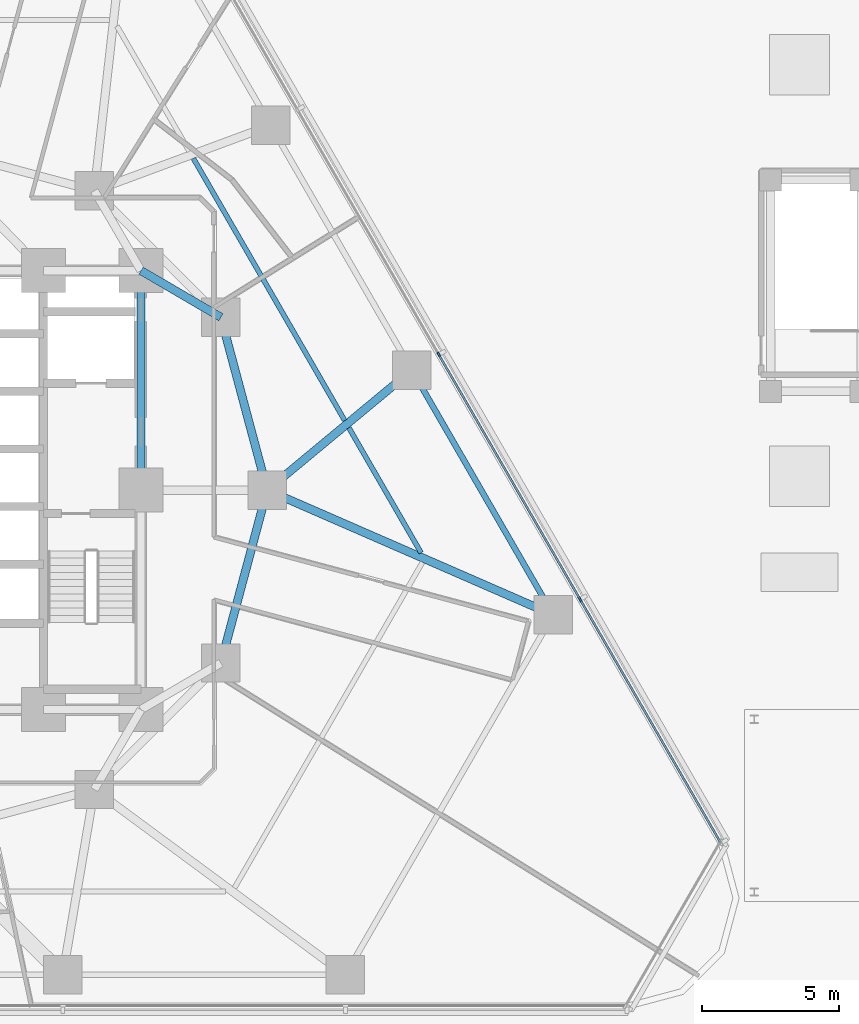
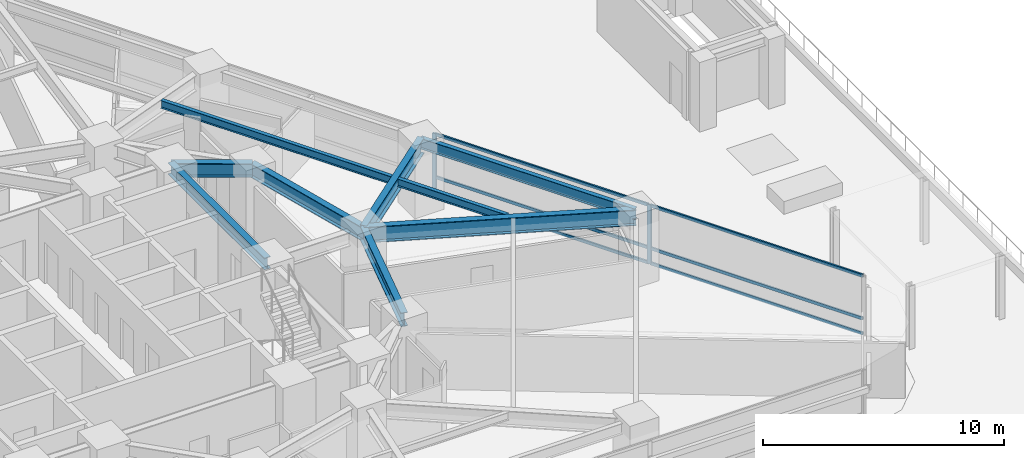
# One storey, part 10 of 23: 9 beams, 8 members, 1 element without a shape of its own.
"""IFC4 building model written with IfcOpenShell, lengths in metres."""

from ifc_helpers import new_model, si_unit, direction, frame, origin, origin_2d, place, context, subcontext, project, spatial, rectangle, i_section, extrude, material, layer, layer_set, material_profile, profile_set, type_object, element, aggregate, save


model = new_model("IFC4")

# Units and contexts
model_context = context("Model", 3, precision=1e-05, world=origin(), true_north=direction((0.0, 1.0)))
body_context = subcontext(model_context, "Body", "Model", "MODEL_VIEW")
ifc_project = project(units=[si_unit("LENGTHUNIT", "METRE"), si_unit("AREAUNIT", "SQUARE_METRE"), si_unit("VOLUMEUNIT", "CUBIC_METRE"), si_unit("PLANEANGLEUNIT", "RADIAN"), si_unit("MASSUNIT", "GRAM", prefix="KILO")], contexts=[model_context])

# Site, building, storey
site_placement = place(None, origin())
site = spatial("IfcSite", under=ifc_project, at=site_placement, CompositionType="ELEMENT")
building_placement = place(site_placement, origin())
building = spatial("IfcBuilding", under=site, at=building_placement, Name="Terralouvre Media Tower", CompositionType="ELEMENT")
storey_placement = place(building_placement, frame((0.0, 0.0, 26.0)))
storey = spatial("IfcBuildingStorey", under=building, at=storey_placement, Name="L05", CompositionType="ELEMENT", Elevation=26.0)

# Beams
ifc_material_1 = material(Name="Structural steel S355J2", Category="steel")
ifc_material_profile_1 = material_profile(ifc_material_1, i_section(OverallWidth=0.179931640625, OverallDepth=0.39990234375, WebThickness=0.008544921875, FlangeThickness=0.013427734375, at=origin_2d()), Name="IPE 400")
ifc_profile_set_1 = profile_set([ifc_material_profile_1], Name="Structural steel S355J2")
beam_type_1 = type_object("IfcBeamType", Name="Composite Floor Joist J-IPE400 (IPE 400)", PredefinedType="JOIST", material=ifc_profile_set_1)
beam_1_placement = place(storey_placement, frame((18.20849609375, -2.28369140625, 3.300048828125), z_axis=(-0.500019514865, 0.866014136579, 0.0), x_axis=(-0.866014136579, -0.500019514865, 0.0)))
element("IfcBeam", 1, at=beam_1_placement, inside=storey, type_object=beam_type_1, Name="L05 Framing Beam JT-L05-06", PredefinedType="JOIST", context=body_context, shape_type="SweptSolid", body=[
    extrude(i_section(OverallWidth=0.179931640625, OverallDepth=0.39990234375, WebThickness=0.008544921875, FlangeThickness=0.013427734375, at=origin_2d()), origin(), (0.0, 0.0, 1.0), 5.264404296875),
])
beam_2_placement = place(storey_placement, frame((15.426025390625, 2.535400390625, 3.300048828125), z_axis=(-0.499996323086, 0.866027526641, 0.0), x_axis=(-0.866027526641, -0.499996323086, 0.0)))
element("IfcBeam", 2, at=beam_2_placement, inside=storey, type_object=beam_type_1, Name="L05 Framing Beam JT-L05-07", PredefinedType="JOIST", context=body_context, shape_type="SweptSolid", body=[
    extrude(i_section(OverallWidth=0.179931640625, OverallDepth=0.39990234375, WebThickness=0.008544921875, FlangeThickness=0.013427734375, at=origin_2d()), origin(), (0.0, 0.0, 1.0), 11.03466796875),
])

# Curtain wall, members
ifc_material_2 = material(Name="Low-iron laminated double glazing with solar-control coating", Category="glass")
ifc_layer = layer(ifc_material_2, 0.1650390625, Name="Lower Media Tower Unitised Curtain Wall CW-02")
ifc_layer_set = layer_set([ifc_layer], Name="Low-iron laminated double glazing with solar-control coating")
curtain_wall_type = type_object("IfcCurtainWallType", Name="Lower Media Tower Unitised Curtain Wall CW-02", PredefinedType="NOTDEFINED", material=ifc_layer_set)
curtain_wall_placement = place(storey_placement, origin())
curtain_wall = element("IfcCurtainWall", 3, at=curtain_wall_placement, inside=storey, type_object=curtain_wall_type, Name="L05 Facade Curtain Wall F1", PredefinedType="NOTDEFINED")
ifc_material_3 = material(Name="Anodised extruded aluminium 6063-T6", Category="aluminium")
ifc_material_profile_2 = material_profile(ifc_material_3, rectangle(XDim=0.074951171875, YDim=0.14990234375, at=origin_2d()), Name="ALU 75x150")
ifc_profile_set_2 = profile_set([ifc_material_profile_2], Name="Anodised extruded aluminium 6063-T6")
member_type_1 = type_object("IfcMemberType", Name="Curtain-Wall Horizontal Transom TR-150", PredefinedType="USERDEFINED", material=ifc_profile_set_2)
member_1_placement = place(storey_placement, frame((29.115966796875, -12.8369140625, 0.03759765625), z_axis=(-0.499994895054, 0.866028351106, 0.0), x_axis=(-0.866028351106, -0.499994895054, 0.0)))
member_1 = element("IfcMember", 4, at=member_1_placement, type_object=member_type_1, Name="CW-02 transom 1.1", ObjectType="TRANSOM", PredefinedType="USERDEFINED", context=body_context, shape_type="SweptSolid", body=[
    extrude(rectangle(XDim=0.074951171875, YDim=0.14990234375, at=origin_2d()), origin(), (0.0, 0.0, 1.0), 10.1875),
])
member_2_placement = place(storey_placement, frame((29.115966796875, -12.8369140625, 0.800048828125), z_axis=(-0.499994895054, 0.866028351106, 0.0), x_axis=(-0.866028351106, -0.499994895054, 0.0)))
member_2 = element("IfcMember", 5, at=member_2_placement, type_object=member_type_1, Name="CW-02 transom 1.2", ObjectType="TRANSOM", PredefinedType="USERDEFINED", context=body_context, shape_type="SweptSolid", body=[
    extrude(rectangle(XDim=0.074951171875, YDim=0.14990234375, at=origin_2d()), origin(), (0.0, 0.0, 1.0), 10.1875),
])
member_3_placement = place(storey_placement, frame((29.115966796875, -12.8369140625, 2.96240234375), z_axis=(-0.499994895054, 0.866028351106, 0.0), x_axis=(-0.866028351106, -0.499994895054, 0.0)))
member_3 = element("IfcMember", 6, at=member_3_placement, type_object=member_type_1, Name="CW-02 transom 1.3", ObjectType="TRANSOM", PredefinedType="USERDEFINED", context=body_context, shape_type="SweptSolid", body=[
    extrude(rectangle(XDim=0.074951171875, YDim=0.14990234375, at=origin_2d()), origin(), (0.0, 0.0, 1.0), 10.1875),
])
member_4_placement = place(storey_placement, frame((23.984619140625, -3.94921875, 0.03759765625), z_axis=(-0.499991148707, 0.866030514021, 0.0), x_axis=(-0.866030514021, -0.499991148707, 0.0)))
member_4 = element("IfcMember", 7, at=member_4_placement, type_object=member_type_1, Name="CW-02 transom 2.1", ObjectType="TRANSOM", PredefinedType="USERDEFINED", context=body_context, shape_type="SweptSolid", body=[
    extrude(rectangle(XDim=0.074951171875, YDim=0.14990234375, at=origin_2d()), origin(), (0.0, 0.0, 1.0), 10.224853515625),
])
member_5_placement = place(storey_placement, frame((23.984619140625, -3.94921875, 0.800048828125), z_axis=(-0.499991148707, 0.866030514021, 0.0), x_axis=(-0.866030514021, -0.499991148707, 0.0)))
member_5 = element("IfcMember", 8, at=member_5_placement, type_object=member_type_1, Name="CW-02 transom 2.2", ObjectType="TRANSOM", PredefinedType="USERDEFINED", context=body_context, shape_type="SweptSolid", body=[
    extrude(rectangle(XDim=0.074951171875, YDim=0.14990234375, at=origin_2d()), origin(), (0.0, 0.0, 1.0), 10.224853515625),
])
member_6_placement = place(storey_placement, frame((23.984619140625, -3.94921875, 2.96240234375), z_axis=(-0.499991148707, 0.866030514021, 0.0), x_axis=(-0.866030514021, -0.499991148707, 0.0)))
member_6 = element("IfcMember", 9, at=member_6_placement, type_object=member_type_1, Name="CW-02 transom 2.3", ObjectType="TRANSOM", PredefinedType="USERDEFINED", context=body_context, shape_type="SweptSolid", body=[
    extrude(rectangle(XDim=0.074951171875, YDim=0.14990234375, at=origin_2d()), origin(), (0.0, 0.0, 1.0), 10.224853515625),
])
ifc_material_4 = material(Name="Anodised extruded aluminium 6063-T6", Category="aluminium")
ifc_material_profile_3 = material_profile(ifc_material_4, rectangle(XDim=0.074951171875, YDim=0.179931640625, at=origin_2d()), Name="ALU 75x180")
ifc_profile_set_3 = profile_set([ifc_material_profile_3], Name="Anodised extruded aluminium 6063-T6")
member_type_2 = type_object("IfcMemberType", Name="Curtain-Wall Vertical Mullion ML-180", PredefinedType="MULLION", material=ifc_profile_set_3)
member_7_placement = place(storey_placement, frame((24.00341796875, -3.981689453125, 0.0), z_axis=(0.0, 0.0, 1.0), x_axis=(-0.866025412057, -0.499999985671, 0.0)))
member_7 = element("IfcMember", 10, at=member_7_placement, type_object=member_type_2, Name="CW-02 mullion 2", PredefinedType="MULLION", context=body_context, shape_type="SweptSolid", body=[
    extrude(rectangle(XDim=0.074951171875, YDim=0.179931640625, at=origin_2d()), origin(), (0.0, 0.0, 1.0), 3.0),
])
member_8_placement = place(storey_placement, frame((18.853515625, 4.938232421875, 0.0), z_axis=(0.0, 0.0, 1.0), x_axis=(-0.866025412057, -0.499999985671, 0.0)))
member_8 = element("IfcMember", 11, at=member_8_placement, type_object=member_type_2, Name="CW-02 mullion 3", PredefinedType="MULLION", context=body_context, shape_type="SweptSolid", body=[
    extrude(rectangle(XDim=0.074951171875, YDim=0.179931640625, at=origin_2d()), origin(), (0.0, 0.0, 1.0), 3.0),
])
aggregate(curtain_wall, [member_7, member_8, member_1, member_2, member_3, member_4, member_5, member_6])

# Beams
ifc_material_5 = material(Name="Structural steel S355J2", Category="steel")
ifc_material_profile_4 = material_profile(ifc_material_5, i_section(OverallWidth=0.2099609375, OverallDepth=0.550048828125, WebThickness=0.010986328125, FlangeThickness=0.01708984375, at=origin_2d()), Name="IPE 550")
ifc_profile_set_4 = profile_set([ifc_material_profile_4], Name="Structural steel S355J2")
beam_type_2 = type_object("IfcBeamType", Name="Perimeter Spandrel Beam SPB-550 (IPE 550)", PredefinedType="SPANDREL", material=ifc_profile_set_4)
beam_3_placement = place(storey_placement, frame((23.02490234375, -4.546630859375, 3.22509765625), z_axis=(-0.500016542852, 0.866015852554, 0.0), x_axis=(-0.866015852554, -0.500016542852, 0.0)))
element("IfcBeam", 12, at=beam_3_placement, inside=storey, type_object=beam_type_2, Name="L05 Framing Beam BM-L05-PR06", PredefinedType="SPANDREL", context=body_context, shape_type="SweptSolid", body=[
    extrude(i_section(OverallWidth=0.2099609375, OverallDepth=0.550048828125, WebThickness=0.010986328125, FlangeThickness=0.01708984375, at=origin_2d()), origin(), (0.0, 0.0, 1.0), 10.300048828125),
])
ifc_material_6 = material(Name="Structural steel S460M", Category="steel")
ifc_material_profile_5 = material_profile(ifc_material_6, i_section(OverallWidth=0.300048828125, OverallDepth=0.60009765625, WebThickness=0.015380859375, FlangeThickness=0.030029296875, at=origin_2d()), Name="HEB 600")
ifc_profile_set_5 = profile_set([ifc_material_profile_5], Name="Structural steel S460M")
beam_type_3 = type_object("IfcBeamType", Name="Primary Floor Girder B-HEB600 (HEB 600)", PredefinedType="BEAM", material=ifc_profile_set_5)
beam_4_placement = place(storey_placement, frame((8.0, 0.0, 3.199951171875), z_axis=(0.0, 1.0, 0.0), x_axis=(-1.0, 0.0, 0.0)))
element("IfcBeam", 13, at=beam_4_placement, inside=storey, type_object=beam_type_3, Name="L05 Framing Beam BM-L05-CPR05", PredefinedType="BEAM", context=body_context, shape_type="SweptSolid", body=[
    extrude(i_section(OverallWidth=0.300048828125, OverallDepth=0.60009765625, WebThickness=0.015380859375, FlangeThickness=0.030029296875, at=origin_2d()), origin(), (0.0, 0.0, 1.0), 8.0),
])
ifc_material_7 = material(Name="Structural steel S460M", Category="steel")
ifc_material_profile_6 = material_profile(ifc_material_7, i_section(OverallWidth=0.300048828125, OverallDepth=0.699951171875, WebThickness=0.01708984375, FlangeThickness=0.031982421875, at=origin_2d()), Name="HEB 700")
ifc_profile_set_6 = profile_set([ifc_material_profile_6], Name="Structural steel S460M")
beam_type_4 = type_object("IfcBeamType", Name="Primary Floor Girder B-HEB700 (HEB 700)", PredefinedType="BEAM", material=ifc_profile_set_6)
for number, where, z_axis, x_axis, name in (
    (14, (10.911865234375, -6.300048828125, 3.14990234375), (0.258838989821, 0.965920481897, 0.0), (-0.965920481897, 0.258838989821, 0.0), "L05 Framing Beam BM-L05-MR05"),
    (15, (12.60009765625, 0.0, 3.14990234375), (-0.258838989821, 0.965920481897, 0.0), (-0.965920481897, -0.258838989821, 0.0), "L05 Framing Beam BM-L05-MR06"),
):
    element("IfcBeam", number, at=place(storey_placement, frame(where, z_axis=z_axis, x_axis=x_axis)), inside=storey, type_object=beam_type_4, Name=name, PredefinedType="BEAM", context=body_context, shape_type="SweptSolid", body=[
        extrude(i_section(OverallWidth=0.300048828125, OverallDepth=0.699951171875, WebThickness=0.01708984375, FlangeThickness=0.031982421875, at=origin_2d()), origin(), (0.0, 0.0, 1.0), 6.522216796875),
    ])
beam_5_placement = place(storey_placement, frame((8.0, 8.0, 3.14990234375), z_axis=(0.863602894532, -0.504172629717, 0.0), x_axis=(0.504172629717, 0.863602894532, 0.0)))
element("IfcBeam", 16, at=beam_5_placement, inside=storey, type_object=beam_type_4, Name="L05 Framing Beam BM-L05-CM07", PredefinedType="BEAM", context=body_context, shape_type="SweptSolid", body=[
    extrude(i_section(OverallWidth=0.300048828125, OverallDepth=0.699951171875, WebThickness=0.01708984375, FlangeThickness=0.031982421875, at=origin_2d()), origin(), (0.0, 0.0, 1.0), 3.371826171875),
])
ifc_material_8 = material(Name="Structural steel S460M", Category="steel")
ifc_material_profile_7 = material_profile(ifc_material_8, i_section(OverallWidth=0.300048828125, OverallDepth=0.800048828125, WebThickness=0.017578125, FlangeThickness=0.032958984375, at=origin_2d()), Name="HEB 800")
ifc_profile_set_7 = profile_set([ifc_material_profile_7], Name="Structural steel S460M")
beam_type_5 = type_object("IfcBeamType", Name="Primary Floor Girder B-HEB800 (HEB 800)", PredefinedType="BEAM", material=ifc_profile_set_7)
beam_6_placement = place(storey_placement, frame((12.60009765625, 0.0, 3.10009765625), z_axis=(0.916615903868, -0.399769039291, 0.0), x_axis=(0.399769039291, 0.916615903868, 0.0)))
element("IfcBeam", 17, at=beam_6_placement, inside=storey, type_object=beam_type_5, Name="L05 Framing Beam BM-L05-RD06", PredefinedType="BEAM", context=body_context, shape_type="SweptSolid", body=[
    extrude(i_section(OverallWidth=0.300048828125, OverallDepth=0.800048828125, WebThickness=0.017578125, FlangeThickness=0.032958984375, at=origin_2d()), origin(), (0.0, 0.0, 1.0), 11.373046875),
])
beam_7_placement = place(storey_placement, frame((12.60009765625, 0.0, 3.10009765625), z_axis=(0.769816459478, 0.638265320001, 0.0), x_axis=(-0.638265320001, 0.769816459478, 0.0)))
element("IfcBeam", 18, at=beam_7_placement, inside=storey, type_object=beam_type_5, Name="L05 Framing Beam BM-L05-RD07", PredefinedType="BEAM", context=body_context, shape_type="SweptSolid", body=[
    extrude(i_section(OverallWidth=0.300048828125, OverallDepth=0.800048828125, WebThickness=0.017578125, FlangeThickness=0.032958984375, at=origin_2d()), origin(), (0.0, 0.0, 1.0), 6.851806640625),
])

save(model, "model.ifc")
